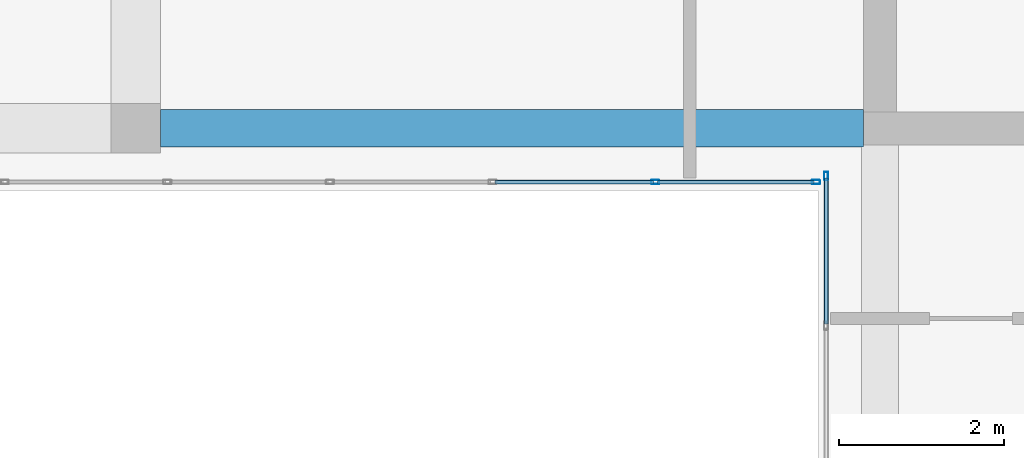
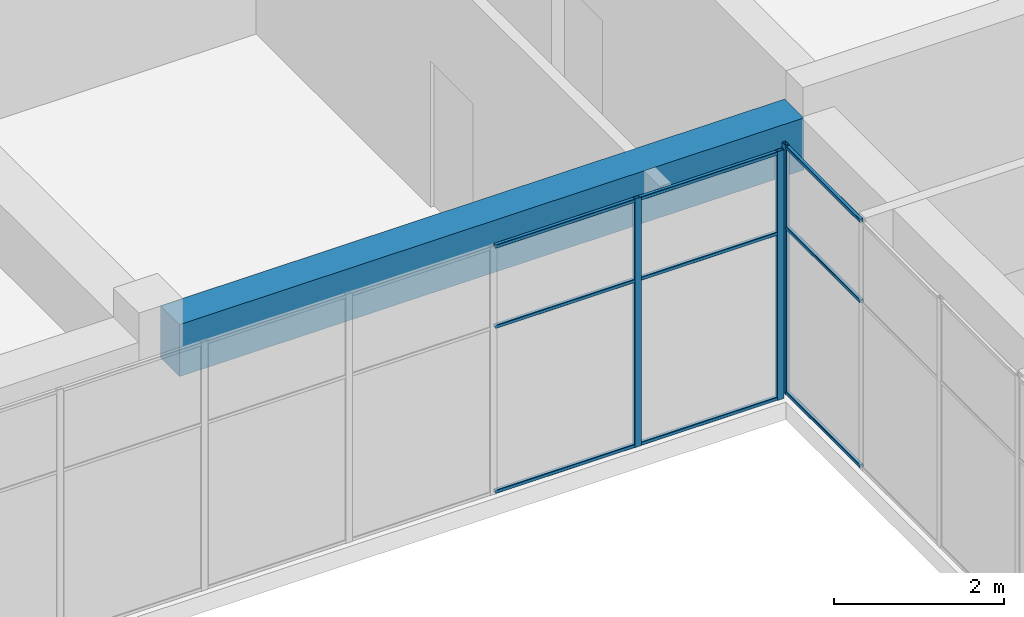
# One storey, part 5 of 35: 12 members, 1 beam, 2 elements without a shape of their own.
"""IFC4 building model written with IfcOpenShell, lengths in metres."""

from ifc_helpers import new_model, si_unit, direction, frame, origin, origin_2d, place, context, subcontext, project, spatial, rectangle, hollow_rectangle, extrude, material, layer, layer_set, material_profile, profile_set, type_object, element, aggregate, save


model = new_model("IFC4")

# Units and contexts
model_context = context("Model", 3, precision=1e-05, world=origin(), true_north=direction((0.0, 1.0)))
body_context = subcontext(model_context, "Body", "Model", "MODEL_VIEW")
ifc_project = project(units=[si_unit("LENGTHUNIT", "METRE"), si_unit("AREAUNIT", "SQUARE_METRE"), si_unit("VOLUMEUNIT", "CUBIC_METRE"), si_unit("PLANEANGLEUNIT", "RADIAN"), si_unit("MASSUNIT", "GRAM", prefix="KILO")], contexts=[model_context])

# Site, building, storey
site_placement = place(None, origin())
site = spatial("IfcSite", under=ifc_project, at=site_placement, CompositionType="ELEMENT")
building_placement = place(site_placement, origin())
building = spatial("IfcBuilding", under=site, at=building_placement, Name="Tuart Plaza Theatre", CompositionType="ELEMENT")
storey_placement = place(building_placement, frame((0.0, 0.0, 49.5)))
storey = spatial("IfcBuildingStorey", under=building, at=storey_placement, Name="L12", CompositionType="ELEMENT", Elevation=49.5)

# Beam
ifc_material_1 = material(Name="Concrete N40 (40 MPa)", Category="concrete")
ifc_material_profile_1 = material_profile(ifc_material_1, rectangle(XDim=0.449951171875, YDim=0.75, at=origin_2d()), Name="BEAM 450x750 Concrete N40 (40 MPa)")
ifc_profile_set_1 = profile_set([ifc_material_profile_1], Name="Concrete N40 (40 MPa)")
beam_type = type_object("IfcBeamType", Name="BEAM 450x750 Concrete N40 (40 MPa)", PredefinedType="BEAM", material=ifc_profile_set_1)
beam_placement = place(storey_placement, frame((114.300048828125, 65.0, 3.205078125), z_axis=(1.0, 0.0, 0.0), x_axis=(0.0, 1.0, 0.0)))
element("IfcBeam", 1, at=beam_placement, inside=storey, type_object=beam_type, Name="RB290", PredefinedType="BEAM", context=body_context, shape_type="SweptSolid", body=[
    extrude(rectangle(XDim=0.449951171875, YDim=0.75, at=origin_2d()), origin(), (0.0, 0.0, 1.0), 8.5),
])

# Curtain wall, members
ifc_material_2 = material(Name="Aluminium and glass", Category="aluminium")
ifc_layer = layer(ifc_material_2, 0.10009765625)
ifc_layer_set = layer_set([ifc_layer], Name="CURTAIN WALL 2000 module")
curtain_wall_type = type_object("IfcCurtainWallType", Name="CURTAIN WALL 2000 module", PredefinedType="NOTDEFINED", material=ifc_layer_set)
curtain_wall_1_placement = place(storey_placement, origin())
curtain_wall_1 = element("IfcCurtainWall", 2, at=curtain_wall_1_placement, inside=storey, type_object=curtain_wall_type, Name="CW108", PredefinedType="NOTDEFINED")
ifc_material_3 = material(Name="Aluminium 6063-T5", Category="aluminium")
ifc_material_profile_2 = material_profile(ifc_material_3, hollow_rectangle(XDim=0.050048828125, YDim=0.10009765625, WallThickness=0.00390625, InnerFilletRadius=0.00390625, OuterFilletRadius=0.008056640625, at=origin_2d()), Name="RHS 100x50x4")
ifc_profile_set_2 = profile_set([ifc_material_profile_2], Name="Aluminium 6063-T5")
member_type_1 = type_object("IfcMemberType", Name="MULLION RHS 100x50x4", PredefinedType="MULLION", material=ifc_profile_set_2)
member_1_placement = place(storey_placement, frame((120.283447265625, 64.35009765625, 0.0), z_axis=(0.0, 0.0, 1.0), x_axis=(0.0, 1.0, 0.0)))
member_1 = element("IfcMember", 3, at=member_1_placement, type_object=member_type_1, Name="CW108 mullion 6", PredefinedType="MULLION", context=body_context, shape_type="SweptSolid", body=[
    extrude(hollow_rectangle(XDim=0.050048828125, YDim=0.10009765625, WallThickness=0.00390625, InnerFilletRadius=0.00390625, OuterFilletRadius=0.008056640625, at=origin_2d()), origin(), (0.0, 0.0, 1.0), 3.580078125),
])
member_2_placement = place(storey_placement, frame((122.22509765625, 64.35009765625, 0.0), z_axis=(0.0, 0.0, 1.0), x_axis=(0.0, 1.0, 0.0)))
member_2 = element("IfcMember", 4, at=member_2_placement, type_object=member_type_1, Name="CW108 mullion 7", PredefinedType="MULLION", context=body_context, shape_type="SweptSolid", body=[
    extrude(hollow_rectangle(XDim=0.050048828125, YDim=0.10009765625, WallThickness=0.00390625, InnerFilletRadius=0.00390625, OuterFilletRadius=0.008056640625, at=origin_2d()), origin(), (0.0, 0.0, 1.0), 3.580078125),
])

# Curtain wall, member
curtain_wall_2_placement = place(storey_placement, origin())
curtain_wall_2 = element("IfcCurtainWall", 5, at=curtain_wall_2_placement, inside=storey, type_object=curtain_wall_type, Name="CW110", PredefinedType="NOTDEFINED")
member_3_placement = place(storey_placement, frame((122.35009765625, 64.425048828125, 0.0), z_axis=(0.0, 0.0, 1.0), x_axis=(1.0, 0.0, 0.0)))
member_3 = element("IfcMember", 6, at=member_3_placement, type_object=member_type_1, Name="CW110 mullion 1", PredefinedType="MULLION", context=body_context, shape_type="SweptSolid", body=[
    extrude(hollow_rectangle(XDim=0.050048828125, YDim=0.10009765625, WallThickness=0.00390625, InnerFilletRadius=0.00390625, OuterFilletRadius=0.008056640625, at=origin_2d()), origin(), (0.0, 0.0, 1.0), 3.580078125),
])

# Member
ifc_material_4 = material(Name="Aluminium 6063-T5", Category="aluminium")
ifc_material_profile_3 = material_profile(ifc_material_4, hollow_rectangle(XDim=0.050048828125, YDim=0.050048828125, WallThickness=0.00390625, InnerFilletRadius=0.00390625, OuterFilletRadius=0.008056640625, at=origin_2d()), Name="RHS 50x50x4")
ifc_profile_set_3 = profile_set([ifc_material_profile_3], Name="Aluminium 6063-T5")
member_type_2 = type_object("IfcMemberType", Name="TRANSOM RHS 50x50x4", PredefinedType="USERDEFINED", material=ifc_profile_set_3)
member_4_placement = place(storey_placement, frame((118.341552734375, 64.35009765625, 0.02490234375), z_axis=(1.0, 0.0, 0.0), x_axis=(0.0, 1.0, 0.0)))
member_4 = element("IfcMember", 7, at=member_4_placement, type_object=member_type_2, Name="CW108 transom 5.1", ObjectType="TRANSOM", PredefinedType="USERDEFINED", context=body_context, shape_type="SweptSolid", body=[
    extrude(hollow_rectangle(XDim=0.050048828125, YDim=0.050048828125, WallThickness=0.00390625, InnerFilletRadius=0.00390625, OuterFilletRadius=0.008056640625, at=origin_2d()), origin(), (0.0, 0.0, 1.0), 1.916748046875),
])

member_5_placement = place(storey_placement, frame((118.341552734375, 64.35009765625, 2.39990234375), z_axis=(1.0, 0.0, 0.0), x_axis=(0.0, 1.0, 0.0)))
member_5 = element("IfcMember", 8, at=member_5_placement, type_object=member_type_2, Name="CW108 transom 5.2", ObjectType="TRANSOM", PredefinedType="USERDEFINED", context=body_context, shape_type="SweptSolid", body=[
    extrude(hollow_rectangle(XDim=0.050048828125, YDim=0.050048828125, WallThickness=0.00390625, InnerFilletRadius=0.00390625, OuterFilletRadius=0.008056640625, at=origin_2d()), origin(), (0.0, 0.0, 1.0), 1.916748046875),
])

member_6_placement = place(storey_placement, frame((118.341552734375, 64.35009765625, 3.554931640625), z_axis=(1.0, 0.0, 0.0), x_axis=(0.0, 1.0, 0.0)))
member_6 = element("IfcMember", 9, at=member_6_placement, type_object=member_type_2, Name="CW108 transom 5.3", ObjectType="TRANSOM", PredefinedType="USERDEFINED", context=body_context, shape_type="SweptSolid", body=[
    extrude(hollow_rectangle(XDim=0.050048828125, YDim=0.050048828125, WallThickness=0.00390625, InnerFilletRadius=0.00390625, OuterFilletRadius=0.008056640625, at=origin_2d()), origin(), (0.0, 0.0, 1.0), 1.916748046875),
])

member_7_placement = place(storey_placement, frame((120.308349609375, 64.35009765625, 0.02490234375), z_axis=(1.0, 0.0, 0.0), x_axis=(0.0, 1.0, 0.0)))
member_7 = element("IfcMember", 10, at=member_7_placement, type_object=member_type_2, Name="CW108 transom 6.1", ObjectType="TRANSOM", PredefinedType="USERDEFINED", context=body_context, shape_type="SweptSolid", body=[
    extrude(hollow_rectangle(XDim=0.050048828125, YDim=0.050048828125, WallThickness=0.00390625, InnerFilletRadius=0.00390625, OuterFilletRadius=0.008056640625, at=origin_2d()), origin(), (0.0, 0.0, 1.0), 1.8916015625),
])

member_8_placement = place(storey_placement, frame((120.308349609375, 64.35009765625, 2.39990234375), z_axis=(1.0, 0.0, 0.0), x_axis=(0.0, 1.0, 0.0)))
member_8 = element("IfcMember", 11, at=member_8_placement, type_object=member_type_2, Name="CW108 transom 6.2", ObjectType="TRANSOM", PredefinedType="USERDEFINED", context=body_context, shape_type="SweptSolid", body=[
    extrude(hollow_rectangle(XDim=0.050048828125, YDim=0.050048828125, WallThickness=0.00390625, InnerFilletRadius=0.00390625, OuterFilletRadius=0.008056640625, at=origin_2d()), origin(), (0.0, 0.0, 1.0), 1.8916015625),
])

member_9_placement = place(storey_placement, frame((120.308349609375, 64.35009765625, 3.554931640625), z_axis=(1.0, 0.0, 0.0), x_axis=(0.0, 1.0, 0.0)))
member_9 = element("IfcMember", 12, at=member_9_placement, type_object=member_type_2, Name="CW108 transom 6.3", ObjectType="TRANSOM", PredefinedType="USERDEFINED", context=body_context, shape_type="SweptSolid", body=[
    extrude(hollow_rectangle(XDim=0.050048828125, YDim=0.050048828125, WallThickness=0.00390625, InnerFilletRadius=0.00390625, OuterFilletRadius=0.008056640625, at=origin_2d()), origin(), (0.0, 0.0, 1.0), 1.8916015625),
])

aggregate(curtain_wall_1, [member_1, member_2, member_4, member_5, member_6, member_7, member_8, member_9])

member_10_placement = place(storey_placement, frame((122.35009765625, 64.39990234375, 0.02490234375), z_axis=(0.0, -1.0, 0.0), x_axis=(1.0, 0.0, 0.0)))
member_10 = element("IfcMember", 13, at=member_10_placement, type_object=member_type_2, Name="CW110 transom 1.1", ObjectType="TRANSOM", PredefinedType="USERDEFINED", context=body_context, shape_type="SweptSolid", body=[
    extrude(hollow_rectangle(XDim=0.050048828125, YDim=0.050048828125, WallThickness=0.00390625, InnerFilletRadius=0.00390625, OuterFilletRadius=0.008056640625, at=origin_2d()), origin(), (0.0, 0.0, 1.0), 1.764892578125),
])

member_11_placement = place(storey_placement, frame((122.35009765625, 64.39990234375, 2.39990234375), z_axis=(0.0, -1.0, 0.0), x_axis=(1.0, 0.0, 0.0)))
member_11 = element("IfcMember", 14, at=member_11_placement, type_object=member_type_2, Name="CW110 transom 1.2", ObjectType="TRANSOM", PredefinedType="USERDEFINED", context=body_context, shape_type="SweptSolid", body=[
    extrude(hollow_rectangle(XDim=0.050048828125, YDim=0.050048828125, WallThickness=0.00390625, InnerFilletRadius=0.00390625, OuterFilletRadius=0.008056640625, at=origin_2d()), origin(), (0.0, 0.0, 1.0), 1.764892578125),
])

member_12_placement = place(storey_placement, frame((122.35009765625, 64.39990234375, 3.554931640625), z_axis=(0.0, -1.0, 0.0), x_axis=(1.0, 0.0, 0.0)))
member_12 = element("IfcMember", 15, at=member_12_placement, type_object=member_type_2, Name="CW110 transom 1.3", ObjectType="TRANSOM", PredefinedType="USERDEFINED", context=body_context, shape_type="SweptSolid", body=[
    extrude(hollow_rectangle(XDim=0.050048828125, YDim=0.050048828125, WallThickness=0.00390625, InnerFilletRadius=0.00390625, OuterFilletRadius=0.008056640625, at=origin_2d()), origin(), (0.0, 0.0, 1.0), 1.764892578125),
])

aggregate(curtain_wall_2, [member_3, member_10, member_11, member_12])

save(model, "model.ifc")
